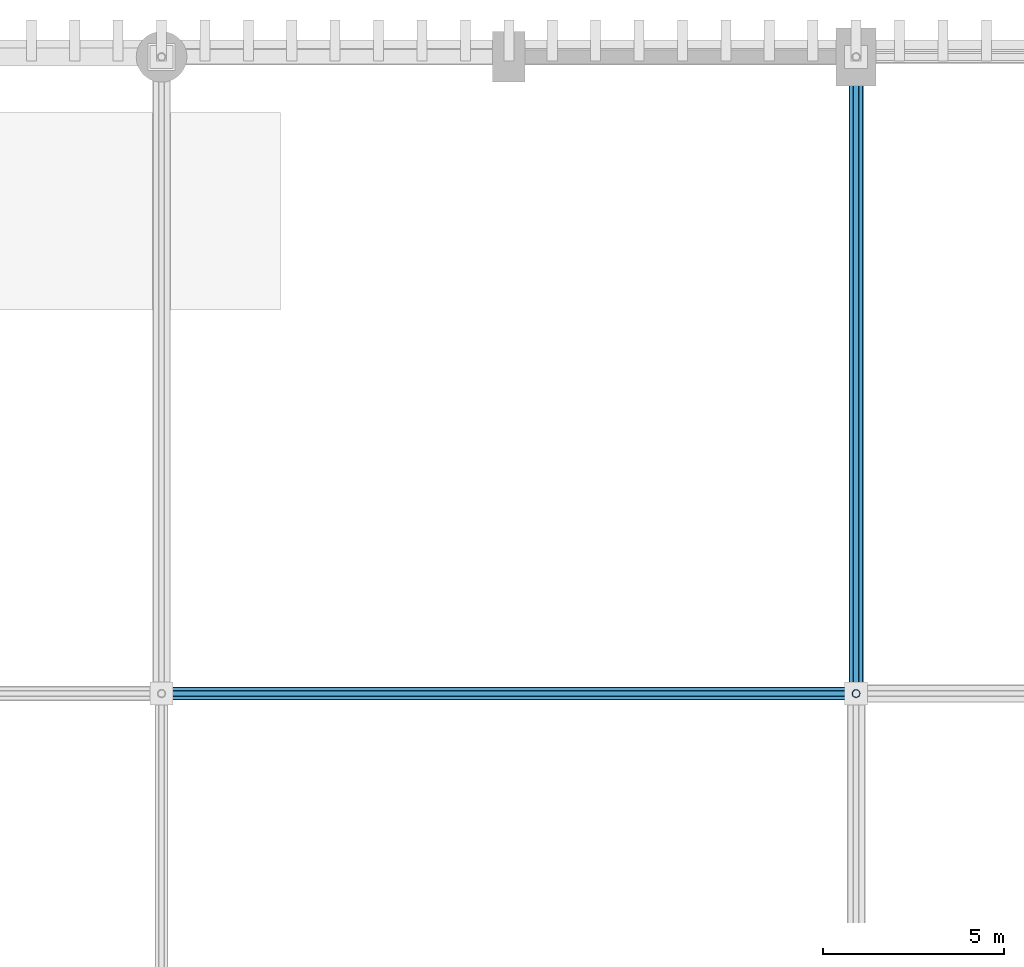
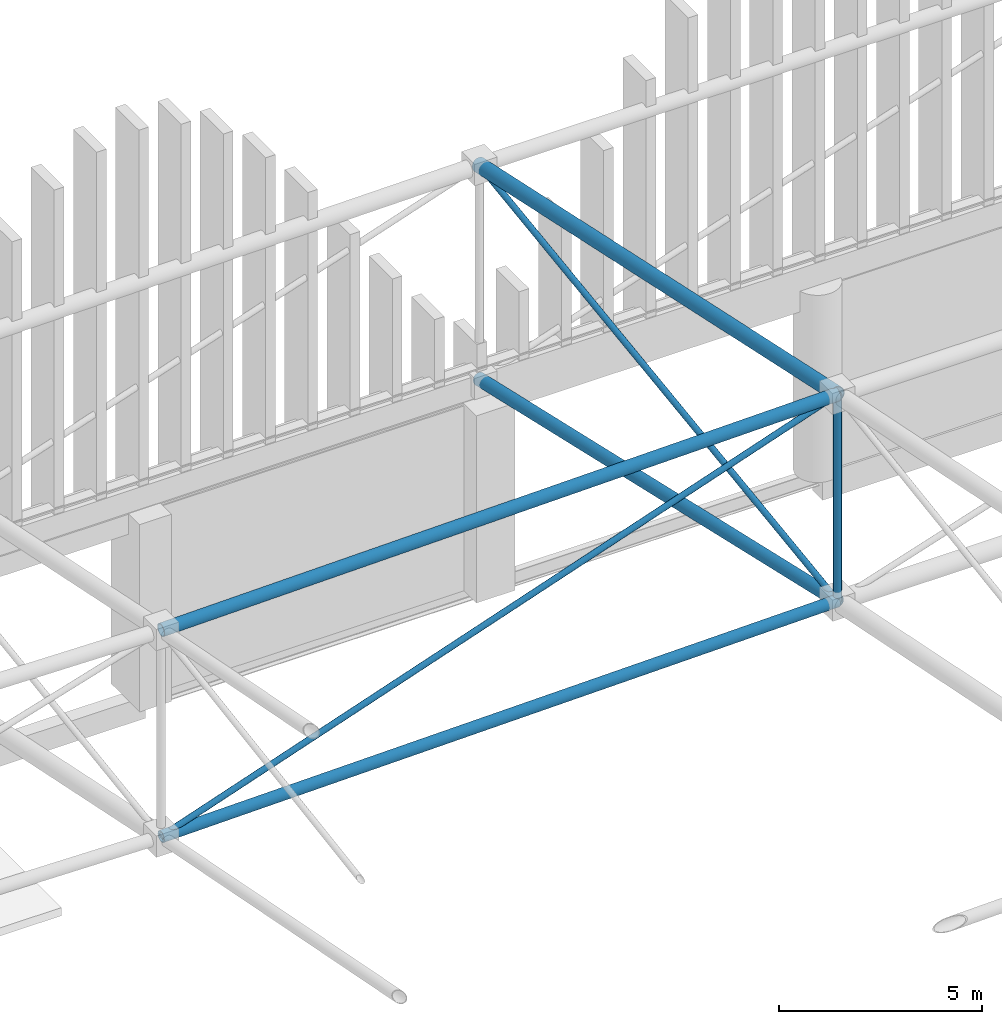
# One storey, part 129 of 193: 7 members.
"""IFC4 building model written with IfcOpenShell, lengths in metres."""

import ifcopenshell
import ifcopenshell.guid

model = None  # the IFC model being written
_history = None  # IfcOwnerHistory: only IFC2X3 demands one
_inside = {}  # id of a spatial element -> (the spatial element, [elements in it])
_under = {}  # id of a project, library or spatial element -> (it, [spatial elements below it])
_declared = {}  # id of a project -> (the project, [libraries it declares])
_typed = {}  # id of a type object -> (the type object, [elements of that type])
_made_of = {}  # id of a material, layer set ... -> (it, [elements and type objects made of it])


def new_model(schema):
    """Start an empty IFC model of exactly this schema.

    Asked for "IFC4X3", IfcOpenShell would pick the latest addendum, in which some entities
    have other attributes; the version numbers below select the first issue.
    IFC2X3 requires an IfcOwnerHistory on every rooted entity: one is made here for all.
    """
    global model, _history
    if schema == "IFC4X3":
        model = ifcopenshell.file(schema_version=(4, 3, 0, 0))
    else:
        model = ifcopenshell.file(schema=schema)
    _inside.clear()
    _under.clear()
    _declared.clear()
    _typed.clear()
    _made_of.clear()
    _history = None
    if model.schema == "IFC2X3":
        org = make("IfcOrganization", Name="unknown")
        user = make(
            "IfcPersonAndOrganization",
            ThePerson=make("IfcPerson", FamilyName="unknown"),
            TheOrganization=org,
        )
        app = make(
            "IfcApplication",
            ApplicationDeveloper=org,
            Version="unknown",
            ApplicationFullName="unknown",
            ApplicationIdentifier="unknown",
        )
        _history = make(
            "IfcOwnerHistory",
            OwningUser=user,
            OwningApplication=app,
            ChangeAction="ADDED",
            CreationDate=0,
        )
    return model


def make(cls, **values):
    """One entity of the class cls with the attributes given. An attribute that is None is left unset."""
    return model.create_entity(
        cls, **{name: value for name, value in values.items() if value is not None}
    )


def rooted(cls, **values):
    """An entity with a GlobalId (a new one), such as an element, a storey or a relation."""
    return make(cls, GlobalId=ifcopenshell.guid.new(), OwnerHistory=_history, **values)


def si_unit(unit_type, name, prefix=None):
    """IfcSIUnit, for example si_unit("LENGTHUNIT", "METRE", prefix="MILLI")."""
    return make("IfcSIUnit", UnitType=unit_type, Prefix=prefix, Name=name)


def assignment(units):
    """IfcUnitAssignment: the units of a project."""
    return None if units is None else make("IfcUnitAssignment", Units=units)


def point(xyz):
    """IfcCartesianPoint."""
    return None if xyz is None else make("IfcCartesianPoint", Coordinates=xyz)


def direction(xyz):
    """IfcDirection."""
    return None if xyz is None else make("IfcDirection", DirectionRatios=xyz)


def frame(location, z_axis=None, x_axis=None):
    """IfcAxis2Placement3D, a coordinate frame: its origin and axes. An axis left out is left unset."""
    return make(
        "IfcAxis2Placement3D",
        Location=point(location),
        Axis=direction(z_axis),
        RefDirection=direction(x_axis),
    )


def frame_2d(location, x_axis=None):
    """IfcAxis2Placement2D, a coordinate frame in the plane: its origin and x axis."""
    return make(
        "IfcAxis2Placement2D", Location=point(location), RefDirection=direction(x_axis)
    )


def origin():
    """The frame at (0, 0, 0) with its axes left unset."""
    return frame((0.0, 0.0, 0.0))


def origin_2d():
    """The frame at (0, 0) in the plane with its x axis left unset."""
    return frame_2d((0.0, 0.0))


def place(relative_to, where):
    """IfcLocalPlacement: puts the frame where relative to a parent placement (None: the world)."""
    return make(
        "IfcLocalPlacement", PlacementRelTo=relative_to, RelativePlacement=where
    )


def context(
    kind, dimensions, precision=None, world=None, true_north=None, identifier=None
):
    """IfcGeometricRepresentationContext, for example the 3D "Model" context."""
    return make(
        "IfcGeometricRepresentationContext",
        ContextIdentifier=identifier,
        ContextType=kind,
        CoordinateSpaceDimension=dimensions,
        Precision=precision,
        WorldCoordinateSystem=world,
        TrueNorth=true_north,
    )


def subcontext(parent, identifier, kind, view, scale=None):
    """IfcGeometricRepresentationSubContext, for example "Body" below "Model"."""
    return make(
        "IfcGeometricRepresentationSubContext",
        ContextIdentifier=identifier,
        ContextType=kind,
        ParentContext=parent,
        TargetScale=scale,
        TargetView=view,
    )


def project(units=None, contexts=None):
    """IfcProject with its units and contexts."""
    return rooted(
        "IfcProject",
        Name="project",
        RepresentationContexts=contexts,
        UnitsInContext=assignment(units),
    )


def spatial(cls, under=None, at=None, **own):
    """A site, building, storey or space (cls), placed at a placement, below another one or the project."""
    s = rooted(cls, ObjectPlacement=at, **own)
    if under is not None:
        _under.setdefault(under.id(), (under, []))[1].append(s)
    return s


def profile(cls, at=None, kind="AREA", **sizes):
    """A parametric profile (cls). Its sizes go by their IFC names, for example OverallWidth=200.0."""
    return make(cls, ProfileType=kind, Position=at, **sizes)


def hollow_circle(**sizes):
    """IfcCircleHollowProfileDef."""
    return profile("IfcCircleHollowProfileDef", **sizes)


def extrude(swept, where, along, depth):
    """IfcExtrudedAreaSolid: the profile swept, set in the frame where, extruded along a direction by depth."""
    return make(
        "IfcExtrudedAreaSolid",
        SweptArea=swept,
        Position=where,
        ExtrudedDirection=direction(along),
        Depth=depth,
    )


def shape(context_of_items, identifier, shape_type, items):
    """IfcShapeRepresentation: the items that make up one representation, for example the "Body"."""
    return make(
        "IfcShapeRepresentation",
        ContextOfItems=context_of_items,
        RepresentationIdentifier=identifier,
        RepresentationType=shape_type,
        Items=items,
    )


def material(Name=None, Category=None):
    """IfcMaterial."""
    return make("IfcMaterial", Name=Name, Category=Category)


def material_profile(
    of_material, cross_section, Name=None, Category=None, Priority=None
):
    """IfcMaterialProfile: a cross section and its material."""
    return make(
        "IfcMaterialProfile",
        Name=Name,
        Material=of_material,
        Profile=cross_section,
        Priority=Priority,
        Category=Category,
    )


def profile_set(profiles, Name=None, composite=None):
    """IfcMaterialProfileSet."""
    return make(
        "IfcMaterialProfileSet",
        Name=Name,
        MaterialProfiles=profiles,
        CompositeProfile=composite,
    )


def made_of(thing, what):
    """Note that an element or type object is made of a material, layer set ...; save() writes the relation."""
    if what is not None:
        _made_of.setdefault(what.id(), (what, []))[1].append(thing)
    return thing


def type_object(cls, material=None, **own):
    """A type object (cls), such as IfcWallType, which elements share."""
    return made_of(rooted(cls, **own), material)


def element(
    cls,
    number,
    at=None,
    inside=None,
    cuts=None,
    type_object=None,
    material=None,
    context=None,
    identifier="Body",
    shape_type=None,
    held_by="IfcProductDefinitionShape",
    body=None,
    shapes=None,
    **own,
):
    """One element of the class cls, such as IfcWall. Its Tag is "e" and its number.

    at: its placement. inside: the storey or other place that contains it. cuts: it is an
    opening in that element (IfcRelVoidsElement). A single representation is given by context,
    identifier, shape_type and body (its items); several are given by shapes. held_by: the class
    of the entity that holds the representations. save() writes the other relations.
    """
    e = rooted(cls, Tag="e%d" % number, ObjectPlacement=at, **own)
    if body is not None:
        shapes = [shape(context, identifier, shape_type, body)]
    if shapes is not None:
        e.Representation = make(held_by, Representations=shapes)
    if inside is not None:
        _inside.setdefault(inside.id(), (inside, []))[1].append(e)
    if cuts is not None:
        rooted(
            "IfcRelVoidsElement", RelatingBuildingElement=cuts, RelatedOpeningElement=e
        )
    if type_object is not None:
        _typed.setdefault(type_object.id(), (type_object, []))[1].append(e)
    return made_of(e, material)


def aggregate(whole, parts):
    """IfcRelAggregates: a whole, such as a stair, and the parts it consists of."""
    return rooted("IfcRelAggregates", RelatingObject=whole, RelatedObjects=parts)


def save(model, path):
    """Write the relations noted so far, then the file.

    IfcRelAggregates (storeys below a building ...), IfcRelContainedInSpatialStructure (elements
    in a storey), IfcRelDefinesByType, IfcRelAssociatesMaterial and IfcRelDeclares: one each for
    every whole, place, type object, material and project.
    """
    for whole, parts in _under.values():
        aggregate(whole, parts)
    for where, things in _inside.values():
        rooted(
            "IfcRelContainedInSpatialStructure",
            RelatedElements=things,
            RelatingStructure=where,
        )
    for kind, things in _typed.values():
        rooted("IfcRelDefinesByType", RelatedObjects=things, RelatingType=kind)
    for what, things in _made_of.values():
        rooted("IfcRelAssociatesMaterial", RelatedObjects=things, RelatingMaterial=what)
    for by, libraries in _declared.values():
        rooted("IfcRelDeclares", RelatingContext=by, RelatedDefinitions=libraries)
    model.write(path)


model = new_model("IFC4")

# Units and contexts
model_context = context("Model", 3, precision=1e-05, world=origin(), true_north=direction((0.0, 1.0)))
body_context = subcontext(model_context, "Body", "Model", "MODEL_VIEW")
ifc_project = project(units=[si_unit("LENGTHUNIT", "METRE"), si_unit("AREAUNIT", "SQUARE_METRE"), si_unit("VOLUMEUNIT", "CUBIC_METRE"), si_unit("PLANEANGLEUNIT", "RADIAN"), si_unit("MASSUNIT", "GRAM", prefix="KILO")], contexts=[model_context])

# Site, building, storey
site_placement = place(None, origin())
site = spatial("IfcSite", under=ifc_project, at=site_placement, CompositionType="ELEMENT")
building_placement = place(site_placement, origin())
building = spatial("IfcBuilding", under=site, at=building_placement, Name="Danafjord Basin Convention Centre", CompositionType="ELEMENT")
storey_placement = place(building_placement, frame((0.0, 0.0, 11.39990234375)))
storey = spatial("IfcBuildingStorey", under=building, at=storey_placement, Name="L02", CompositionType="ELEMENT", Elevation=11.39990234375)

# Members
ifc_material = material(Name="Steel S355", Category="steel")
ifc_material_profile_1 = material_profile(ifc_material, hollow_circle(Radius=0.161865234375, WallThickness=0.01611328125, at=origin_2d()), Name="CHS 323.9x16.0")
ifc_profile_set_1 = profile_set([ifc_material_profile_1], Name="Steel S355")
member_type_1 = type_object("IfcMemberType", Name="MEM-CH-CHS324", PredefinedType="CHORD", material=ifc_profile_set_1)
member_1_placement = place(storey_placement, frame((57.60009765625, 126.39990234375, 9.7109375), z_axis=(0.999824397611, 0.0, 0.018739635595), x_axis=(0.0, 1.0, 0.0)))
element("IfcMember", 1, at=member_1_placement, inside=storey, type_object=member_type_1, Name="V1 roof truss longitudinal bottom chord", PredefinedType="CHORD", context=body_context, shape_type="SweptSolid", body=[
    extrude(hollow_circle(Radius=0.161865234375, WallThickness=0.01611328125, at=origin_2d()), origin(), (0.0, 0.0, 1.0), 19.203369140625),
])
ifc_material_profile_2 = material_profile(ifc_material, hollow_circle(Radius=0.177734375, WallThickness=0.01611328125, at=origin_2d()), Name="CHS 355.6x16.0")
ifc_profile_set_2 = profile_set([ifc_material_profile_2], Name="Steel S355")
member_type_2 = type_object("IfcMemberType", Name="MEM-CH-CHS355", PredefinedType="CHORD", material=ifc_profile_set_2)
member_2_placement = place(storey_placement, frame((57.60009765625, 126.39990234375, 15.910888671875), z_axis=(0.999824159326, 0.0, 0.018752344583), x_axis=(0.0, 1.0, 0.0)))
element("IfcMember", 2, at=member_2_placement, inside=storey, type_object=member_type_2, Name="V1 roof truss longitudinal top chord", PredefinedType="CHORD", context=body_context, shape_type="SweptSolid", body=[
    extrude(hollow_circle(Radius=0.177734375, WallThickness=0.01611328125, at=origin_2d()), origin(), (0.0, 0.0, 1.0), 19.203369140625),
])
member_3_placement = place(storey_placement, frame((76.800048828125, 126.39990234375, 10.07080078125), z_axis=(0.0, 0.97488409866, -0.222712806503), x_axis=(-1.0, 0.0, 0.0)))
element("IfcMember", 3, at=member_3_placement, inside=storey, type_object=member_type_2, Name="V1 roof truss transverse bottom chord", PredefinedType="CHORD", context=body_context, shape_type="SweptSolid", body=[
    extrude(hollow_circle(Radius=0.177734375, WallThickness=0.01611328125, at=origin_2d()), origin(), (0.0, 0.0, 1.0), 18.053466796875),
])
ifc_material_profile_3 = material_profile(ifc_material, hollow_circle(Radius=0.203125, WallThickness=0.02001953125, at=origin_2d()), Name="CHS 406.4x20.0")
ifc_profile_set_3 = profile_set([ifc_material_profile_3], Name="Steel S355")
member_type_3 = type_object("IfcMemberType", Name="MEM-CH-CHS406", PredefinedType="CHORD", material=ifc_profile_set_3)
member_4_placement = place(storey_placement, frame((76.800048828125, 126.39990234375, 16.27099609375), z_axis=(0.0, 0.977523345498, -0.210827201773), x_axis=(-1.0, 0.0, 0.0)))
element("IfcMember", 4, at=member_4_placement, inside=storey, type_object=member_type_3, Name="V1 roof truss transverse top chord", PredefinedType="CHORD", context=body_context, shape_type="SweptSolid", body=[
    extrude(hollow_circle(Radius=0.203125, WallThickness=0.02001953125, at=origin_2d()), origin(), (0.0, 0.0, 1.0), 18.0048828125),
])
ifc_material_profile_4 = material_profile(ifc_material, hollow_circle(Radius=0.109619140625, WallThickness=0.010009765625, at=origin_2d()), Name="CHS 219.1x10.0")
ifc_profile_set_4 = profile_set([ifc_material_profile_4], Name="Steel S355")
member_type_4 = type_object("IfcMemberType", Name="MEM-ST-CHS219", PredefinedType="STRUT", material=ifc_profile_set_4)
member_5_placement = place(storey_placement, frame((76.800048828125, 126.39990234375, 10.07080078125), z_axis=(0.0, 0.0, 1.0), x_axis=(1.0, 0.0, 0.0)))
element("IfcMember", 5, at=member_5_placement, inside=storey, type_object=member_type_4, Name="V1 roof truss vertical strut", PredefinedType="STRUT", context=body_context, shape_type="SweptSolid", body=[
    extrude(hollow_circle(Radius=0.109619140625, WallThickness=0.010009765625, at=origin_2d()), origin(), (0.0, 0.0, 1.0), 6.2001953125),
])
ifc_material_profile_5 = material_profile(ifc_material, hollow_circle(Radius=0.084228515625, WallThickness=0.008056640625, at=origin_2d()), Name="CHS 168.3x8.0")
ifc_profile_set_5 = profile_set([ifc_material_profile_5], Name="Steel S355")
member_type_5 = type_object("IfcMemberType", Name="MEM-WB-CHS168", PredefinedType="MEMBER", material=ifc_profile_set_5)
member_6_placement = place(storey_placement, frame((57.60009765625, 126.39990234375, 9.7109375), z_axis=(0.946289887688, 0.0, 0.323319421718), x_axis=(0.0, 1.0, 0.0)))
element("IfcMember", 6, at=member_6_placement, inside=storey, type_object=member_type_5, Name="V1 space-frame longitudinal web", PredefinedType="MEMBER", context=body_context, shape_type="SweptSolid", body=[
    extrude(hollow_circle(Radius=0.084228515625, WallThickness=0.008056640625, at=origin_2d()), origin(), (0.0, 0.0, 1.0), 20.289794921875),
])
member_7_placement = place(storey_placement, frame((76.800048828125, 126.39990234375, 10.07080078125), z_axis=(0.0, 0.990797856926, 0.13534994167), x_axis=(-1.0, 0.0, 0.0)))
element("IfcMember", 7, at=member_7_placement, inside=storey, type_object=member_type_5, Name="V1 space-frame transverse web", PredefinedType="MEMBER", context=body_context, shape_type="SweptSolid", body=[
    extrude(hollow_circle(Radius=0.084228515625, WallThickness=0.008056640625, at=origin_2d()), origin(), (0.0, 0.0, 1.0), 17.763671875),
])

save(model, "model.ifc")
